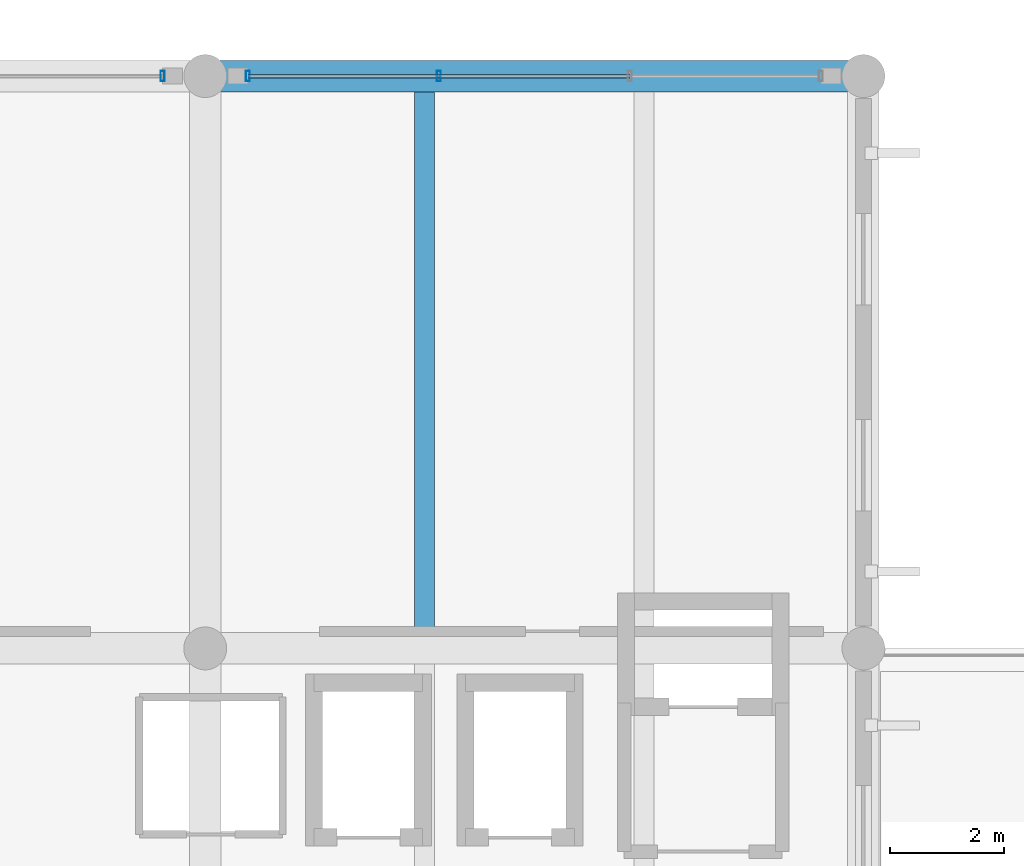
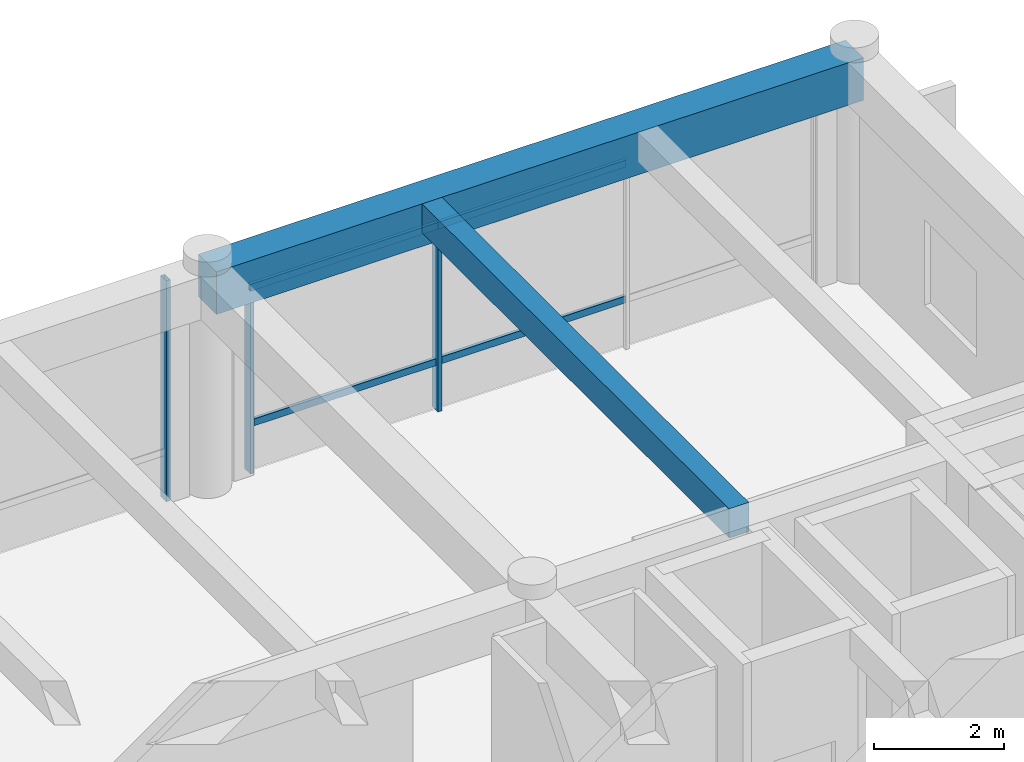
# One storey, part 18 of 27: 7 members, 2 beams, 2 elements without a shape of their own.
"""IFC4 building model written with IfcOpenShell, lengths in metres."""

from ifc_helpers import new_model, si_unit, direction, frame, origin, origin_2d, place, context, subcontext, project, spatial, rectangle, hollow_rectangle, extrude, material, material_profile, profile_set, type_object, element, aggregate, save


model = new_model("IFC4")

# Units and contexts
model_context = context("Model", 3, precision=1e-05, world=origin(), true_north=direction((0.0, 1.0)))
body_context = subcontext(model_context, "Body", "Model", "MODEL_VIEW")
ifc_project = project(units=[si_unit("LENGTHUNIT", "METRE"), si_unit("AREAUNIT", "SQUARE_METRE"), si_unit("VOLUMEUNIT", "CUBIC_METRE"), si_unit("PLANEANGLEUNIT", "RADIAN"), si_unit("MASSUNIT", "GRAM", prefix="KILO")], contexts=[model_context])

# Site, building, storey
site_placement = place(None, origin())
site = spatial("IfcSite", under=ifc_project, at=site_placement, CompositionType="ELEMENT")
building_placement = place(site_placement, origin())
building = spatial("IfcBuilding", under=site, at=building_placement, Name="Ologun Quay Terminus", CompositionType="ELEMENT")
storey_placement = place(building_placement, frame((0.0, 0.0, 22.4599609375)))
storey = spatial("IfcBuildingStorey", under=building, at=storey_placement, Name="L05", CompositionType="ELEMENT", Elevation=22.4599609375)

# Beams
ifc_material_1 = material(Name="Concrete C40/50", Category="concrete")
ifc_material_profile_1 = material_profile(ifc_material_1, rectangle(XDim=0.550048828125, YDim=0.800048828125, at=origin_2d()), Name="RC 550x800")
ifc_profile_set_1 = profile_set([ifc_material_profile_1], Name="Concrete C40/50")
beam_type_1 = type_object("IfcBeamType", Name="Courtyard Wing Primary Girder 550x800", PredefinedType="BEAM", material=ifc_profile_set_1)
beam_1_placement = place(storey_placement, frame((138.0, 114.800048828125, 3.760009765625), z_axis=(1.0, 0.0, 0.0), x_axis=(0.0, 1.0, 0.0)))
element("IfcBeam", 1, at=beam_1_placement, inside=storey, type_object=beam_type_1, Name="B4 Beam 13/K L05", PredefinedType="BEAM", context=body_context, shape_type="SweptSolid", body=[
    extrude(rectangle(XDim=0.550048828125, YDim=0.800048828125, at=origin_2d()), origin(), (0.0, 0.0, 1.0), 11.5),
])
ifc_material_2 = material(Name="Concrete C40/50", Category="concrete")
ifc_material_profile_2 = material_profile(ifc_material_2, rectangle(XDim=0.35009765625, YDim=0.550048828125, at=origin_2d()), Name="RC 350x550")
ifc_profile_set_2 = profile_set([ifc_material_profile_2], Name="Concrete C40/50")
beam_type_2 = type_object("IfcBeamType", Name="Courtyard Wing Secondary Joist 350x550", PredefinedType="JOIST", material=ifc_profile_set_2)
beam_2_placement = place(storey_placement, frame((141.833251953125, 105.074951171875, 3.885009765625), z_axis=(0.0, 1.0, 0.0), x_axis=(-1.0, 0.0, 0.0)))
element("IfcBeam", 2, at=beam_2_placement, inside=storey, type_object=beam_type_2, Name="J2 Beam 13/J L05", PredefinedType="JOIST", context=body_context, shape_type="SweptSolid", body=[
    extrude(rectangle(XDim=0.35009765625, YDim=0.550048828125, at=origin_2d()), origin(), (0.0, 0.0, 1.0), 9.449951171875),
])

# Curtain wall, member
ifc_material_3 = material(Name="Aluminium 6063-T6", Category="aluminium")
curtain_wall_type = type_object("IfcCurtainWallType", Name="Operations Wing Canteen Curtain Wall L05 10600x4050", PredefinedType="USERDEFINED", material=ifc_material_3)
curtain_wall_1_placement = place(storey_placement, origin())
curtain_wall_1 = element("IfcCurtainWall", 3, at=curtain_wall_1_placement, inside=storey, type_object=curtain_wall_type, Name="CW-28 Curtain Wall CW-L05-154", ObjectType="UNITISED CURTAIN WALL", PredefinedType="USERDEFINED")
ifc_material_4 = material(Name="Aluminium 6063-T6", Category="aluminium")
ifc_material_profile_3 = material_profile(ifc_material_4, hollow_rectangle(XDim=0.070068359375, YDim=0.179931640625, WallThickness=0.0048828125, at=origin_2d()), Name="ALU 180x70x5")
ifc_profile_set_3 = profile_set([ifc_material_profile_3], Name="Aluminium 6063-T6")
member_type_1 = type_object("IfcMemberType", Name="Curtain Wall Heavy Mullion 180x70", PredefinedType="MULLION", material=ifc_profile_set_3)
member_1_placement = place(storey_placement, frame((137.2548828125, 114.800048828125, 0.0), z_axis=(0.0, 0.0, 1.0), x_axis=(1.0, 0.0, 0.0)))
member_1 = element("IfcMember", 4, at=member_1_placement, type_object=member_type_1, Name="CW-L05-154 Mullion 4", PredefinedType="MULLION", context=body_context, shape_type="SweptSolid", body=[
    extrude(hollow_rectangle(XDim=0.070068359375, YDim=0.179931640625, WallThickness=0.0048828125, at=origin_2d()), origin(), (0.0, 0.0, 1.0), 4.150146484375),
])
aggregate(curtain_wall_1, [member_1])

# Curtain wall, members
curtain_wall_2_placement = place(storey_placement, origin())
curtain_wall_2 = element("IfcCurtainWall", 5, at=curtain_wall_2_placement, inside=storey, type_object=curtain_wall_type, Name="CW-28 Curtain Wall CW-L05-155", ObjectType="UNITISED CURTAIN WALL", PredefinedType="USERDEFINED")
member_2_placement = place(storey_placement, frame((138.7451171875, 114.800048828125, 0.0), z_axis=(0.0, 0.0, 1.0), x_axis=(1.0, 0.0, 0.0)))
member_2 = element("IfcMember", 6, at=member_2_placement, type_object=member_type_1, Name="CW-L05-155 Mullion 1", PredefinedType="MULLION", context=body_context, shape_type="SweptSolid", body=[
    extrude(hollow_rectangle(XDim=0.070068359375, YDim=0.179931640625, WallThickness=0.0048828125, at=origin_2d()), origin(), (0.0, 0.0, 1.0), 4.150146484375),
])
member_3_placement = place(storey_placement, frame((142.081787109375, 114.800048828125, 0.0), z_axis=(0.0, 0.0, 1.0), x_axis=(1.0, 0.0, 0.0)))
member_3 = element("IfcMember", 7, at=member_3_placement, type_object=member_type_1, Name="CW-L05-155 Mullion 2", PredefinedType="MULLION", context=body_context, shape_type="SweptSolid", body=[
    extrude(hollow_rectangle(XDim=0.070068359375, YDim=0.179931640625, WallThickness=0.0048828125, at=origin_2d()), origin(), (0.0, 0.0, 1.0), 4.150146484375),
])
ifc_material_5 = material(Name="Aluminium 6063-T6", Category="aluminium")
ifc_material_profile_4 = material_profile(ifc_material_5, hollow_rectangle(XDim=0.06005859375, YDim=0.1298828125, WallThickness=0.00390625, at=origin_2d()), Name="ALU 130x60x4")
ifc_profile_set_4 = profile_set([ifc_material_profile_4], Name="Aluminium 6063-T6")
member_type_2 = type_object("IfcMemberType", Name="Curtain Wall Heavy Transom 130x60", PredefinedType="USERDEFINED", material=ifc_profile_set_4)
member_4_placement = place(storey_placement, frame((138.7451171875, 114.800048828125, 0.900146484375), z_axis=(1.0, 0.0, 0.0), x_axis=(0.0, 1.0, 0.0)))
member_4 = element("IfcMember", 8, at=member_4_placement, type_object=member_type_2, Name="CW-L05-155 Transom B1-1", ObjectType="TRANSOM", PredefinedType="USERDEFINED", context=body_context, shape_type="SweptSolid", body=[
    extrude(hollow_rectangle(XDim=0.06005859375, YDim=0.1298828125, WallThickness=0.00390625, at=origin_2d()), origin(), (0.0, 0.0, 1.0), 3.336669921875),
])
member_5_placement = place(storey_placement, frame((138.7451171875, 114.800048828125, 3.449951171875), z_axis=(1.0, 0.0, 0.0), x_axis=(0.0, 1.0, 0.0)))
member_5 = element("IfcMember", 9, at=member_5_placement, type_object=member_type_2, Name="CW-L05-155 Transom B1-2", ObjectType="TRANSOM", PredefinedType="USERDEFINED", context=body_context, shape_type="SweptSolid", body=[
    extrude(hollow_rectangle(XDim=0.06005859375, YDim=0.1298828125, WallThickness=0.00390625, at=origin_2d()), origin(), (0.0, 0.0, 1.0), 3.336669921875),
])
member_6_placement = place(storey_placement, frame((142.081787109375, 114.800048828125, 0.900146484375), z_axis=(1.0, 0.0, 0.0), x_axis=(0.0, 1.0, 0.0)))
member_6 = element("IfcMember", 10, at=member_6_placement, type_object=member_type_2, Name="CW-L05-155 Transom B2-1", ObjectType="TRANSOM", PredefinedType="USERDEFINED", context=body_context, shape_type="SweptSolid", body=[
    extrude(hollow_rectangle(XDim=0.06005859375, YDim=0.1298828125, WallThickness=0.00390625, at=origin_2d()), origin(), (0.0, 0.0, 1.0), 3.33642578125),
])
member_7_placement = place(storey_placement, frame((142.081787109375, 114.800048828125, 3.449951171875), z_axis=(1.0, 0.0, 0.0), x_axis=(0.0, 1.0, 0.0)))
member_7 = element("IfcMember", 11, at=member_7_placement, type_object=member_type_2, Name="CW-L05-155 Transom B2-2", ObjectType="TRANSOM", PredefinedType="USERDEFINED", context=body_context, shape_type="SweptSolid", body=[
    extrude(hollow_rectangle(XDim=0.06005859375, YDim=0.1298828125, WallThickness=0.00390625, at=origin_2d()), origin(), (0.0, 0.0, 1.0), 3.33642578125),
])
aggregate(curtain_wall_2, [member_2, member_3, member_4, member_5, member_6, member_7])

save(model, "model.ifc")
